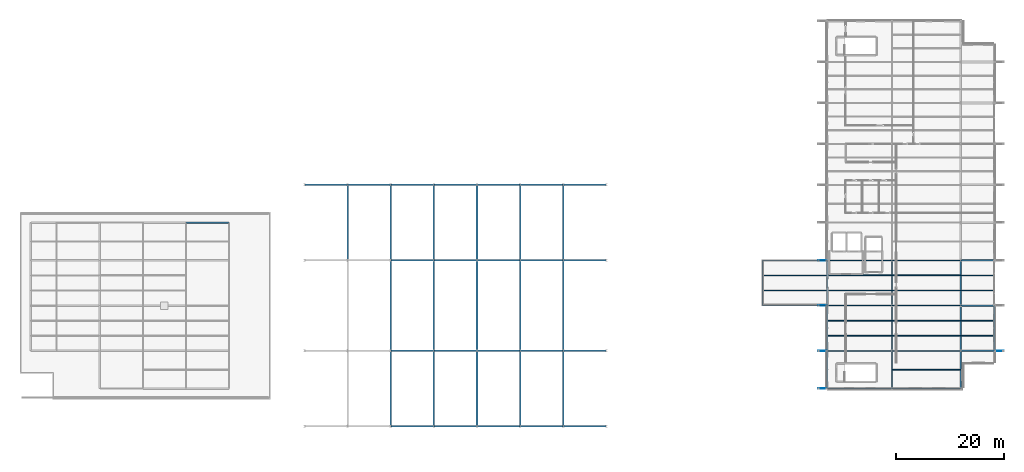
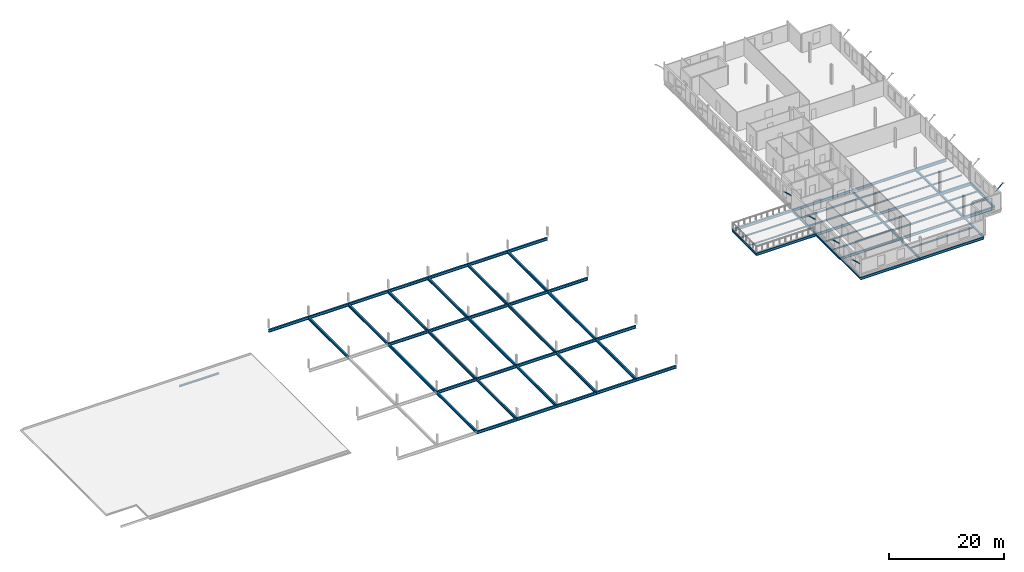
# One storey, part 12 of 25: 78 beams, 5 members.
"""IFC4 building model written with IfcOpenShell, lengths in metres."""

from ifc_helpers import new_model, si_unit, direction, frame, origin, origin_2d, place, context, subcontext, project, spatial, hollow_rectangle, i_section, extrude, material, material_profile, profile_set, type_object, element, save


model = new_model("IFC4")

# Units and contexts
model_context = context("Model", 3, precision=1e-05, world=origin(), true_north=direction((0.0, 1.0)))
body_context = subcontext(model_context, "Body", "Model", "MODEL_VIEW")
ifc_project = project(units=[si_unit("LENGTHUNIT", "METRE"), si_unit("AREAUNIT", "SQUARE_METRE"), si_unit("VOLUMEUNIT", "CUBIC_METRE"), si_unit("PLANEANGLEUNIT", "RADIAN"), si_unit("MASSUNIT", "GRAM", prefix="KILO")], contexts=[model_context])

# Site, building, storey
site_placement = place(None, origin())
site = spatial("IfcSite", under=ifc_project, at=site_placement, CompositionType="ELEMENT")
building_placement = place(site_placement, origin())
building = spatial("IfcBuilding", under=site, at=building_placement, Name="Vekula Escarpment Museum", CompositionType="ELEMENT")
storey_placement = place(building_placement, frame((0.0, 0.0, 26.39990234375)))
storey = spatial("IfcBuildingStorey", under=building, at=storey_placement, Name="L06", CompositionType="ELEMENT", Elevation=26.39990234375)

# Beams
ifc_material_1 = material(Name="Steel S355", Category="steel")
ifc_material_profile_1 = material_profile(ifc_material_1, i_section(OverallWidth=0.300048828125, OverallDepth=0.320068359375, WebThickness=0.011474609375, FlangeThickness=0.0205078125, FilletRadius=0.027099609375, at=origin_2d()), Name="HEB 320")
ifc_profile_set_1 = profile_set([ifc_material_profile_1], Name="Steel S355")
beam_type_1 = type_object("IfcBeamType", Name="BM-GIRD-HEB320", PredefinedType="BEAM", material=ifc_profile_set_1)
beam_1_placement = place(storey_placement, frame((48.0, 83.39990234375, -0.35986328125), z_axis=(1.0, 0.0, 0.0), x_axis=(0.0, 1.0, 0.0)))
element("IfcBeam", 1, at=beam_1_placement, inside=storey, type_object=beam_type_1, Name="Beam X L06 2226", PredefinedType="BEAM", context=body_context, shape_type="SweptSolid", body=[
    extrude(i_section(OverallWidth=0.300048828125, OverallDepth=0.320068359375, WebThickness=0.011474609375, FlangeThickness=0.0205078125, FilletRadius=0.027099609375, at=origin_2d()), origin(), (0.0, 0.0, 1.0), 8.0),
])
ifc_material_2 = material(Name="Steel S355", Category="steel")
ifc_material_profile_2 = material_profile(ifc_material_2, i_section(OverallWidth=0.300048828125, OverallDepth=0.60009765625, WebThickness=0.015380859375, FlangeThickness=0.030029296875, FilletRadius=0.027099609375, at=origin_2d()), Name="HEB 600")
ifc_profile_set_2 = profile_set([ifc_material_profile_2], Name="Steel S355")
beam_type_2 = type_object("IfcBeamType", Name="BM-GIRD-HEB600", PredefinedType="BEAM", material=ifc_profile_set_2)
for number, where, z_axis, x_axis, name in (
    (2, (86.0, 45.60009765625, -0.5498046875), (1.0, 0.0, 0.0), (0.0, 1.0, 0.0), "Roof Tie Girder L06 2386"),
    (3, (94.0, 45.60009765625, -0.5498046875), (1.0, 0.0, 0.0), (0.0, 1.0, 0.0), "Roof Tie Girder L06 2387"),
    (4, (102.0, 45.60009765625, -0.5498046875), (1.0, 0.0, 0.0), (0.0, 1.0, 0.0), "Roof Tie Girder L06 2388"),
    (5, (110.0, 45.60009765625, -0.5498046875), (1.0, 0.0, 0.0), (0.0, 1.0, 0.0), "Roof Tie Girder L06 2389"),
    (6, (118.0, 45.60009765625, -0.5498046875), (1.0, 0.0, 0.0), (0.0, 1.0, 0.0), "Roof Tie Girder L06 2390"),
    (7, (86.0, 59.60009765625, -0.5498046875), (1.0, 0.0, 0.0), (0.0, 1.0, 0.0), "Roof Tie Girder L06 2393"),
    (8, (94.0, 59.60009765625, -0.5498046875), (1.0, 0.0, 0.0), (0.0, 1.0, 0.0), "Roof Tie Girder L06 2394"),
    (9, (102.0, 59.60009765625, -0.5498046875), (1.0, 0.0, 0.0), (0.0, 1.0, 0.0), "Roof Tie Girder L06 2395"),
    (10, (110.0, 59.60009765625, -0.5498046875), (1.0, 0.0, 0.0), (0.0, 1.0, 0.0), "Roof Tie Girder L06 2396"),
    (11, (118.0, 59.60009765625, -0.5498046875), (1.0, 0.0, 0.0), (0.0, 1.0, 0.0), "Roof Tie Girder L06 2397"),
    (12, (86.0, 76.39990234375, -0.5498046875), (1.0, 0.0, 0.0), (0.0, 1.0, 0.0), "Roof Tie Girder L06 2400"),
    (13, (94.0, 76.39990234375, -0.5498046875), (1.0, 0.0, 0.0), (0.0, 1.0, 0.0), "Roof Tie Girder L06 2401"),
    (14, (102.0, 76.39990234375, -0.5498046875), (1.0, 0.0, 0.0), (0.0, 1.0, 0.0), "Roof Tie Girder L06 2402"),
    (15, (110.0, 76.39990234375, -0.5498046875), (1.0, 0.0, 0.0), (0.0, 1.0, 0.0), "Roof Tie Girder L06 2403"),
    (16, (118.0, 76.39990234375, -0.5498046875), (1.0, 0.0, 0.0), (0.0, 1.0, 0.0), "Roof Tie Girder L06 2404"),
    (17, (70.0, 90.39990234375, -0.5498046875), (1.0, 0.0, 0.0), (0.0, 1.0, 0.0), "Roof Tie Girder L06 2405"),
    (18, (78.0, 90.39990234375, -0.5498046875), (1.0, 0.0, 0.0), (0.0, 1.0, 0.0), "Roof Tie Girder L06 2406"),
    (19, (86.0, 90.39990234375, -0.5498046875), (1.0, 0.0, 0.0), (0.0, 1.0, 0.0), "Roof Tie Girder L06 2407"),
    (20, (94.0, 90.39990234375, -0.5498046875), (1.0, 0.0, 0.0), (0.0, 1.0, 0.0), "Roof Tie Girder L06 2408"),
    (21, (102.0, 90.39990234375, -0.5498046875), (1.0, 0.0, 0.0), (0.0, 1.0, 0.0), "Roof Tie Girder L06 2409"),
    (22, (110.0, 90.39990234375, -0.5498046875), (1.0, 0.0, 0.0), (0.0, 1.0, 0.0), "Roof Tie Girder L06 2410"),
    (23, (118.0, 90.39990234375, -0.5498046875), (1.0, 0.0, 0.0), (0.0, 1.0, 0.0), "Roof Tie Girder L06 2411"),
):
    element("IfcBeam", number, at=place(storey_placement, frame(where, z_axis=z_axis, x_axis=x_axis)), inside=storey, type_object=beam_type_2, Name=name, PredefinedType="BEAM", context=body_context, shape_type="SweptSolid", body=[
        extrude(i_section(OverallWidth=0.300048828125, OverallDepth=0.60009765625, WebThickness=0.015380859375, FlangeThickness=0.030029296875, FilletRadius=0.027099609375, at=origin_2d()), origin(), (0.0, 0.0, 1.0), 8.0),
    ])
for number, where, z_axis, x_axis, name in (
    (24, (78.0, 76.39990234375, -0.5498046875), (0.0, 1.0, 0.0), (-1.0, 0.0, 0.0), "Sawtooth Tie Girder L06 2414"),
    (25, (86.0, 45.60009765625, -0.5498046875), (0.0, 1.0, 0.0), (-1.0, 0.0, 0.0), "Sawtooth Tie Girder L06 2415"),
):
    element("IfcBeam", number, at=place(storey_placement, frame(where, z_axis=z_axis, x_axis=x_axis)), inside=storey, type_object=beam_type_2, Name=name, PredefinedType="BEAM", context=body_context, shape_type="SweptSolid", body=[
        extrude(i_section(OverallWidth=0.300048828125, OverallDepth=0.60009765625, WebThickness=0.015380859375, FlangeThickness=0.030029296875, FilletRadius=0.027099609375, at=origin_2d()), origin(), (0.0, 0.0, 1.0), 14.0),
    ])
beam_2_placement = place(storey_placement, frame((86.0, 59.60009765625, -0.5498046875), z_axis=(0.0, 1.0, 0.0), x_axis=(-1.0, 0.0, 0.0)))
element("IfcBeam", 26, at=beam_2_placement, inside=storey, type_object=beam_type_2, Name="Sawtooth Tie Girder L06 2416", PredefinedType="BEAM", context=body_context, shape_type="SweptSolid", body=[
    extrude(i_section(OverallWidth=0.300048828125, OverallDepth=0.60009765625, WebThickness=0.015380859375, FlangeThickness=0.030029296875, FilletRadius=0.027099609375, at=origin_2d()), origin(), (0.0, 0.0, 1.0), 16.7998046875),
])
for number, where, z_axis, x_axis, name in (
    (27, (86.0, 76.39990234375, -0.5498046875), (0.0, 1.0, 0.0), (-1.0, 0.0, 0.0), "Sawtooth Tie Girder L06 2417"),
    (28, (94.0, 45.60009765625, -0.5498046875), (0.0, 1.0, 0.0), (-1.0, 0.0, 0.0), "Sawtooth Tie Girder L06 2418"),
):
    element("IfcBeam", number, at=place(storey_placement, frame(where, z_axis=z_axis, x_axis=x_axis)), inside=storey, type_object=beam_type_2, Name=name, PredefinedType="BEAM", context=body_context, shape_type="SweptSolid", body=[
        extrude(i_section(OverallWidth=0.300048828125, OverallDepth=0.60009765625, WebThickness=0.015380859375, FlangeThickness=0.030029296875, FilletRadius=0.027099609375, at=origin_2d()), origin(), (0.0, 0.0, 1.0), 14.0),
    ])
beam_3_placement = place(storey_placement, frame((94.0, 59.60009765625, -0.5498046875), z_axis=(0.0, 1.0, 0.0), x_axis=(-1.0, 0.0, 0.0)))
element("IfcBeam", 29, at=beam_3_placement, inside=storey, type_object=beam_type_2, Name="Sawtooth Tie Girder L06 2419", PredefinedType="BEAM", context=body_context, shape_type="SweptSolid", body=[
    extrude(i_section(OverallWidth=0.300048828125, OverallDepth=0.60009765625, WebThickness=0.015380859375, FlangeThickness=0.030029296875, FilletRadius=0.027099609375, at=origin_2d()), origin(), (0.0, 0.0, 1.0), 16.7998046875),
])
for number, where, z_axis, x_axis, name in (
    (30, (94.0, 76.39990234375, -0.5498046875), (0.0, 1.0, 0.0), (-1.0, 0.0, 0.0), "Sawtooth Tie Girder L06 2420"),
    (31, (102.0, 45.60009765625, -0.5498046875), (0.0, 1.0, 0.0), (-1.0, 0.0, 0.0), "Sawtooth Tie Girder L06 2421"),
):
    element("IfcBeam", number, at=place(storey_placement, frame(where, z_axis=z_axis, x_axis=x_axis)), inside=storey, type_object=beam_type_2, Name=name, PredefinedType="BEAM", context=body_context, shape_type="SweptSolid", body=[
        extrude(i_section(OverallWidth=0.300048828125, OverallDepth=0.60009765625, WebThickness=0.015380859375, FlangeThickness=0.030029296875, FilletRadius=0.027099609375, at=origin_2d()), origin(), (0.0, 0.0, 1.0), 14.0),
    ])
beam_4_placement = place(storey_placement, frame((102.0, 59.60009765625, -0.5498046875), z_axis=(0.0, 1.0, 0.0), x_axis=(-1.0, 0.0, 0.0)))
element("IfcBeam", 32, at=beam_4_placement, inside=storey, type_object=beam_type_2, Name="Sawtooth Tie Girder L06 2422", PredefinedType="BEAM", context=body_context, shape_type="SweptSolid", body=[
    extrude(i_section(OverallWidth=0.300048828125, OverallDepth=0.60009765625, WebThickness=0.015380859375, FlangeThickness=0.030029296875, FilletRadius=0.027099609375, at=origin_2d()), origin(), (0.0, 0.0, 1.0), 16.7998046875),
])
for number, where, z_axis, x_axis, name in (
    (33, (102.0, 76.39990234375, -0.5498046875), (0.0, 1.0, 0.0), (-1.0, 0.0, 0.0), "Sawtooth Tie Girder L06 2423"),
    (34, (110.0, 45.60009765625, -0.5498046875), (0.0, 1.0, 0.0), (-1.0, 0.0, 0.0), "Sawtooth Tie Girder L06 2424"),
):
    element("IfcBeam", number, at=place(storey_placement, frame(where, z_axis=z_axis, x_axis=x_axis)), inside=storey, type_object=beam_type_2, Name=name, PredefinedType="BEAM", context=body_context, shape_type="SweptSolid", body=[
        extrude(i_section(OverallWidth=0.300048828125, OverallDepth=0.60009765625, WebThickness=0.015380859375, FlangeThickness=0.030029296875, FilletRadius=0.027099609375, at=origin_2d()), origin(), (0.0, 0.0, 1.0), 14.0),
    ])
beam_5_placement = place(storey_placement, frame((110.0, 59.60009765625, -0.5498046875), z_axis=(0.0, 1.0, 0.0), x_axis=(-1.0, 0.0, 0.0)))
element("IfcBeam", 35, at=beam_5_placement, inside=storey, type_object=beam_type_2, Name="Sawtooth Tie Girder L06 2425", PredefinedType="BEAM", context=body_context, shape_type="SweptSolid", body=[
    extrude(i_section(OverallWidth=0.300048828125, OverallDepth=0.60009765625, WebThickness=0.015380859375, FlangeThickness=0.030029296875, FilletRadius=0.027099609375, at=origin_2d()), origin(), (0.0, 0.0, 1.0), 16.7998046875),
])
for number, where, z_axis, x_axis, name in (
    (36, (110.0, 76.39990234375, -0.5498046875), (0.0, 1.0, 0.0), (-1.0, 0.0, 0.0), "Sawtooth Tie Girder L06 2426"),
    (37, (118.0, 45.60009765625, -0.5498046875), (0.0, 1.0, 0.0), (-1.0, 0.0, 0.0), "Sawtooth Tie Girder L06 2427"),
):
    element("IfcBeam", number, at=place(storey_placement, frame(where, z_axis=z_axis, x_axis=x_axis)), inside=storey, type_object=beam_type_2, Name=name, PredefinedType="BEAM", context=body_context, shape_type="SweptSolid", body=[
        extrude(i_section(OverallWidth=0.300048828125, OverallDepth=0.60009765625, WebThickness=0.015380859375, FlangeThickness=0.030029296875, FilletRadius=0.027099609375, at=origin_2d()), origin(), (0.0, 0.0, 1.0), 14.0),
    ])
beam_6_placement = place(storey_placement, frame((118.0, 59.60009765625, -0.5498046875), z_axis=(0.0, 1.0, 0.0), x_axis=(-1.0, 0.0, 0.0)))
element("IfcBeam", 38, at=beam_6_placement, inside=storey, type_object=beam_type_2, Name="Sawtooth Tie Girder L06 2428", PredefinedType="BEAM", context=body_context, shape_type="SweptSolid", body=[
    extrude(i_section(OverallWidth=0.300048828125, OverallDepth=0.60009765625, WebThickness=0.015380859375, FlangeThickness=0.030029296875, FilletRadius=0.027099609375, at=origin_2d()), origin(), (0.0, 0.0, 1.0), 16.7998046875),
])
beam_7_placement = place(storey_placement, frame((118.0, 76.39990234375, -0.5498046875), z_axis=(0.0, 1.0, 0.0), x_axis=(-1.0, 0.0, 0.0)))
element("IfcBeam", 39, at=beam_7_placement, inside=storey, type_object=beam_type_2, Name="Sawtooth Tie Girder L06 2429", PredefinedType="BEAM", context=body_context, shape_type="SweptSolid", body=[
    extrude(i_section(OverallWidth=0.300048828125, OverallDepth=0.60009765625, WebThickness=0.015380859375, FlangeThickness=0.030029296875, FilletRadius=0.027099609375, at=origin_2d()), origin(), (0.0, 0.0, 1.0), 14.0),
])
ifc_material_3 = material(Name="Steel S355", Category="steel")
ifc_material_profile_3 = material_profile(ifc_material_3, i_section(OverallWidth=0.300048828125, OverallDepth=0.64990234375, WebThickness=0.01611328125, FlangeThickness=0.031005859375, FilletRadius=0.027099609375, at=origin_2d()), Name="HEB 650")
ifc_profile_set_3 = profile_set([ifc_material_profile_3], Name="Steel S355")
beam_type_3 = type_object("IfcBeamType", Name="BM-GIRD-HEB650", PredefinedType="BEAM", material=ifc_profile_set_3)
for number, where, z_axis, x_axis, name in (
    (40, (191.800048828125, 59.60009765625, -0.544921875), (1.0, 0.0, 0.0), (0.0, 1.0, 0.0), "Beam X L06 2203"),
    (41, (191.800048828125, 68.0, -0.544921875), (1.0, 0.0, 0.0), (0.0, 1.0, 0.0), "Beam X L06 2212"),
    (42, (191.800048828125, 76.39990234375, -0.544921875), (1.0, 0.0, 0.0), (0.0, 1.0, 0.0), "Beam X L06 2221"),
):
    element("IfcBeam", number, at=place(storey_placement, frame(where, z_axis=z_axis, x_axis=x_axis)), inside=storey, type_object=beam_type_3, Name=name, PredefinedType="BEAM", context=body_context, shape_type="SweptSolid", body=[
        extrude(i_section(OverallWidth=0.300048828125, OverallDepth=0.64990234375, WebThickness=0.01611328125, FlangeThickness=0.031005859375, FilletRadius=0.027099609375, at=origin_2d()), origin(), (0.0, 0.0, 1.0), 6.199951171875),
    ])
ifc_material_4 = material(Name="Steel S355", Category="steel")
ifc_material_profile_4 = material_profile(ifc_material_4, i_section(OverallWidth=0.199951171875, OverallDepth=0.5, WebThickness=0.01025390625, FlangeThickness=0.01611328125, FilletRadius=0.02099609375, at=origin_2d()), Name="IPE 500")
ifc_profile_set_4 = profile_set([ifc_material_profile_4], Name="Steel S355")
beam_type_4 = type_object("IfcBeamType", Name="BM-GIRD-IPE500", PredefinedType="BEAM", material=ifc_profile_set_4)
beam_8_placement = place(storey_placement, frame((155.0, 68.0, -0.449951171875), z_axis=(0.0, 1.0, 0.0), x_axis=(-1.0, 0.0, 0.0)))
element("IfcBeam", 43, at=beam_8_placement, inside=storey, type_object=beam_type_4, Name="Beam Y L06 2266", PredefinedType="BEAM", context=body_context, shape_type="SweptSolid", body=[
    extrude(i_section(OverallWidth=0.199951171875, OverallDepth=0.5, WebThickness=0.01025390625, FlangeThickness=0.01611328125, FilletRadius=0.02099609375, at=origin_2d()), origin(), (0.0, 0.0, 1.0), 8.39990234375),
])
beam_9_placement = place(storey_placement, frame((179.0, 52.60009765625, -0.469970703125), z_axis=(0.0, 1.0, 0.0), x_axis=(-1.0, 0.0, 0.0)))
element("IfcBeam", 44, at=beam_9_placement, inside=storey, type_object=beam_type_4, Name="Beam Y L06 2276", PredefinedType="BEAM", context=body_context, shape_type="SweptSolid", body=[
    extrude(i_section(OverallWidth=0.199951171875, OverallDepth=0.5, WebThickness=0.01025390625, FlangeThickness=0.01611328125, FilletRadius=0.02099609375, at=origin_2d()), origin(), (0.0, 0.0, 1.0), 7.0),
])
for number, where, z_axis, x_axis, name in (
    (45, (179.0, 59.60009765625, -0.469970703125), (0.0, 1.0, 0.0), (-1.0, 0.0, 0.0), "Beam Y L06 2277"),
    (46, (179.0, 68.0, -0.469970703125), (0.0, 1.0, 0.0), (-1.0, 0.0, 0.0), "Beam Y L06 2278"),
):
    element("IfcBeam", number, at=place(storey_placement, frame(where, z_axis=z_axis, x_axis=x_axis)), inside=storey, type_object=beam_type_4, Name=name, PredefinedType="BEAM", context=body_context, shape_type="SweptSolid", body=[
        extrude(i_section(OverallWidth=0.199951171875, OverallDepth=0.5, WebThickness=0.01025390625, FlangeThickness=0.01611328125, FilletRadius=0.02099609375, at=origin_2d()), origin(), (0.0, 0.0, 1.0), 8.39990234375),
    ])
ifc_material_5 = material(Name="Steel S355", Category="steel")
ifc_material_profile_5 = material_profile(ifc_material_5, i_section(OverallWidth=0.2099609375, OverallDepth=0.550048828125, WebThickness=0.010986328125, FlangeThickness=0.01708984375, FilletRadius=0.02392578125, at=origin_2d()), Name="IPE 550")
ifc_profile_set_5 = profile_set([ifc_material_profile_5], Name="Steel S355")
beam_type_5 = type_object("IfcBeamType", Name="BM-GIRD-IPE550", PredefinedType="BEAM", material=ifc_profile_set_5)
beam_10_placement = place(storey_placement, frame((167.0, 52.60009765625, -0.494873046875), z_axis=(1.0, 0.0, 0.0), x_axis=(0.0, 1.0, 0.0)))
element("IfcBeam", 47, at=beam_10_placement, inside=storey, type_object=beam_type_5, Name="Beam X L06 2194", PredefinedType="BEAM", context=body_context, shape_type="SweptSolid", body=[
    extrude(i_section(OverallWidth=0.2099609375, OverallDepth=0.550048828125, WebThickness=0.010986328125, FlangeThickness=0.01708984375, FilletRadius=0.02392578125, at=origin_2d()), origin(), (0.0, 0.0, 1.0), 12.0),
])
beam_11_placement = place(storey_placement, frame((179.0, 52.60009765625, -0.494873046875), z_axis=(1.0, 0.0, 0.0), x_axis=(0.0, 1.0, 0.0)))
element("IfcBeam", 48, at=beam_11_placement, inside=storey, type_object=beam_type_5, Name="Beam X L06 2195", PredefinedType="BEAM", context=body_context, shape_type="SweptSolid", body=[
    extrude(i_section(OverallWidth=0.2099609375, OverallDepth=0.550048828125, WebThickness=0.010986328125, FlangeThickness=0.01708984375, FilletRadius=0.02392578125, at=origin_2d()), origin(), (0.0, 0.0, 1.0), 12.800048828125),
])
beam_12_placement = place(storey_placement, frame((167.0, 59.60009765625, -0.494873046875), z_axis=(1.0, 0.0, 0.0), x_axis=(0.0, 1.0, 0.0)))
element("IfcBeam", 49, at=beam_12_placement, inside=storey, type_object=beam_type_5, Name="Beam X L06 2201", PredefinedType="BEAM", context=body_context, shape_type="SweptSolid", body=[
    extrude(i_section(OverallWidth=0.2099609375, OverallDepth=0.550048828125, WebThickness=0.010986328125, FlangeThickness=0.01708984375, FilletRadius=0.02392578125, at=origin_2d()), origin(), (0.0, 0.0, 1.0), 12.0),
])
beam_13_placement = place(storey_placement, frame((179.0, 59.60009765625, -0.494873046875), z_axis=(1.0, 0.0, 0.0), x_axis=(0.0, 1.0, 0.0)))
element("IfcBeam", 50, at=beam_13_placement, inside=storey, type_object=beam_type_5, Name="Beam X L06 2202", PredefinedType="BEAM", context=body_context, shape_type="SweptSolid", body=[
    extrude(i_section(OverallWidth=0.2099609375, OverallDepth=0.550048828125, WebThickness=0.010986328125, FlangeThickness=0.01708984375, FilletRadius=0.02392578125, at=origin_2d()), origin(), (0.0, 0.0, 1.0), 12.800048828125),
])
for number, where, z_axis, x_axis, name in (
    (51, (155.0, 68.0, -0.494873046875), (1.0, 0.0, 0.0), (0.0, 1.0, 0.0), "Beam X L06 2209"),
    (52, (167.0, 68.0, -0.494873046875), (1.0, 0.0, 0.0), (0.0, 1.0, 0.0), "Beam X L06 2210"),
):
    element("IfcBeam", number, at=place(storey_placement, frame(where, z_axis=z_axis, x_axis=x_axis)), inside=storey, type_object=beam_type_5, Name=name, PredefinedType="BEAM", context=body_context, shape_type="SweptSolid", body=[
        extrude(i_section(OverallWidth=0.2099609375, OverallDepth=0.550048828125, WebThickness=0.010986328125, FlangeThickness=0.01708984375, FilletRadius=0.02392578125, at=origin_2d()), origin(), (0.0, 0.0, 1.0), 12.0),
    ])
beam_14_placement = place(storey_placement, frame((179.0, 68.0, -0.494873046875), z_axis=(1.0, 0.0, 0.0), x_axis=(0.0, 1.0, 0.0)))
element("IfcBeam", 53, at=beam_14_placement, inside=storey, type_object=beam_type_5, Name="Beam X L06 2211", PredefinedType="BEAM", context=body_context, shape_type="SweptSolid", body=[
    extrude(i_section(OverallWidth=0.2099609375, OverallDepth=0.550048828125, WebThickness=0.010986328125, FlangeThickness=0.01708984375, FilletRadius=0.02392578125, at=origin_2d()), origin(), (0.0, 0.0, 1.0), 12.800048828125),
])
for number, where, z_axis, x_axis, name in (
    (54, (155.0, 76.39990234375, -0.494873046875), (1.0, 0.0, 0.0), (0.0, 1.0, 0.0), "Beam X L06 2218"),
    (55, (167.0, 76.39990234375, -0.494873046875), (1.0, 0.0, 0.0), (0.0, 1.0, 0.0), "Beam X L06 2219"),
):
    element("IfcBeam", number, at=place(storey_placement, frame(where, z_axis=z_axis, x_axis=x_axis)), inside=storey, type_object=beam_type_5, Name=name, PredefinedType="BEAM", context=body_context, shape_type="SweptSolid", body=[
        extrude(i_section(OverallWidth=0.2099609375, OverallDepth=0.550048828125, WebThickness=0.010986328125, FlangeThickness=0.01708984375, FilletRadius=0.02392578125, at=origin_2d()), origin(), (0.0, 0.0, 1.0), 12.0),
    ])
beam_15_placement = place(storey_placement, frame((179.0, 76.39990234375, -0.494873046875), z_axis=(1.0, 0.0, 0.0), x_axis=(0.0, 1.0, 0.0)))
element("IfcBeam", 56, at=beam_15_placement, inside=storey, type_object=beam_type_5, Name="Beam X L06 2220", PredefinedType="BEAM", context=body_context, shape_type="SweptSolid", body=[
    extrude(i_section(OverallWidth=0.2099609375, OverallDepth=0.550048828125, WebThickness=0.010986328125, FlangeThickness=0.01708984375, FilletRadius=0.02392578125, at=origin_2d()), origin(), (0.0, 0.0, 1.0), 12.800048828125),
])
ifc_material_6 = material(Name="Steel S355", Category="steel")
ifc_material_profile_6 = material_profile(ifc_material_6, i_section(OverallWidth=0.1201171875, OverallDepth=0.239990234375, WebThickness=0.006103515625, FlangeThickness=0.009765625, FilletRadius=0.014892578125, at=origin_2d()), Name="IPE 240")
ifc_profile_set_6 = profile_set([ifc_material_profile_6], Name="Steel S355")
beam_type_6 = type_object("IfcBeamType", Name="BM-JST-IPE240", PredefinedType="JOIST", material=ifc_profile_set_6)
for number, where, z_axis, x_axis, name in (
    (57, (155.090087890625, 70.800048828125, -0.33984375), (1.0, 0.0, 0.0), (0.0, 1.0, 0.0), "Secondary Joist L06 1450"),
    (58, (155.090087890625, 73.60009765625, -0.33984375), (1.0, 0.0, 0.0), (0.0, 1.0, 0.0), "Secondary Joist L06 1451"),
    (59, (167.090087890625, 62.39990234375, -0.33984375), (1.0, 0.0, 0.0), (0.0, 1.0, 0.0), "Secondary Joist L06 1452"),
    (60, (167.090087890625, 65.199951171875, -0.33984375), (1.0, 0.0, 0.0), (0.0, 1.0, 0.0), "Secondary Joist L06 1453"),
):
    element("IfcBeam", number, at=place(storey_placement, frame(where, z_axis=z_axis, x_axis=x_axis)), inside=storey, type_object=beam_type_6, Name=name, PredefinedType="JOIST", context=body_context, shape_type="SweptSolid", body=[
        extrude(i_section(OverallWidth=0.1201171875, OverallDepth=0.239990234375, WebThickness=0.006103515625, FlangeThickness=0.009765625, FilletRadius=0.014892578125, at=origin_2d()), origin(), (0.0, 0.0, 1.0), 11.81982421875),
    ])
beam_16_placement = place(storey_placement, frame((179.090087890625, 56.10009765625, -0.33984375), z_axis=(1.0, 0.0, 0.0), x_axis=(0.0, 1.0, 0.0)))
element("IfcBeam", 61, at=beam_16_placement, inside=storey, type_object=beam_type_6, Name="Secondary Joist L06 1463", PredefinedType="JOIST", context=body_context, shape_type="SweptSolid", body=[
    extrude(i_section(OverallWidth=0.1201171875, OverallDepth=0.239990234375, WebThickness=0.006103515625, FlangeThickness=0.009765625, FilletRadius=0.014892578125, at=origin_2d()), origin(), (0.0, 0.0, 1.0), 12.619873046875),
])
ifc_material_7 = material(Name="Steel S355", Category="steel")
ifc_material_profile_7 = material_profile(ifc_material_7, i_section(OverallWidth=0.14990234375, OverallDepth=0.300048828125, WebThickness=0.007080078125, FlangeThickness=0.0107421875, FilletRadius=0.014892578125, at=origin_2d()), Name="IPE 300")
ifc_profile_set_7 = profile_set([ifc_material_profile_7], Name="Steel S355")
beam_type_7 = type_object("IfcBeamType", Name="BM-JST-IPE300", PredefinedType="JOIST", material=ifc_profile_set_7)
for number, where, z_axis, x_axis, name in (
    (62, (191.889892578125, 70.800048828125, -0.369873046875), (1.0, 0.0, 0.0), (0.0, 1.0, 0.0), "Secondary Joist L06 1480"),
    (63, (191.889892578125, 73.60009765625, -0.369873046875), (1.0, 0.0, 0.0), (0.0, 1.0, 0.0), "Secondary Joist L06 1481"),
):
    element("IfcBeam", number, at=place(storey_placement, frame(where, z_axis=z_axis, x_axis=x_axis)), inside=storey, type_object=beam_type_7, Name=name, PredefinedType="JOIST", context=body_context, shape_type="SweptSolid", body=[
        extrude(i_section(OverallWidth=0.14990234375, OverallDepth=0.300048828125, WebThickness=0.007080078125, FlangeThickness=0.0107421875, FilletRadius=0.014892578125, at=origin_2d()), origin(), (0.0, 0.0, 1.0), 6.02001953125),
    ])
ifc_material_8 = material(Name="Steel S355", Category="steel")
ifc_material_profile_8 = material_profile(ifc_material_8, i_section(OverallWidth=0.159912109375, OverallDepth=0.330078125, WebThickness=0.007568359375, FlangeThickness=0.011474609375, FilletRadius=0.01806640625, at=origin_2d()), Name="IPE 330")
ifc_profile_set_8 = profile_set([ifc_material_profile_8], Name="Steel S355")
beam_type_8 = type_object("IfcBeamType", Name="BM-JST-IPE330", PredefinedType="JOIST", material=ifc_profile_set_8)
for number, where, z_axis, x_axis, name in (
    (64, (179.090087890625, 70.800048828125, -0.385009765625), (1.0, 0.0, 0.0), (0.0, 1.0, 0.0), "Secondary Joist L06 1466"),
    (65, (179.090087890625, 73.60009765625, -0.385009765625), (1.0, 0.0, 0.0), (0.0, 1.0, 0.0), "Secondary Joist L06 1467"),
):
    element("IfcBeam", number, at=place(storey_placement, frame(where, z_axis=z_axis, x_axis=x_axis)), inside=storey, type_object=beam_type_8, Name=name, PredefinedType="JOIST", context=body_context, shape_type="SweptSolid", body=[
        extrude(i_section(OverallWidth=0.159912109375, OverallDepth=0.330078125, WebThickness=0.007568359375, FlangeThickness=0.011474609375, FilletRadius=0.01806640625, at=origin_2d()), origin(), (0.0, 0.0, 1.0), 12.619873046875),
    ])
for number, where, z_axis, x_axis, name in (
    (66, (191.889892578125, 62.39990234375, -0.385009765625), (1.0, 0.0, 0.0), (0.0, 1.0, 0.0), "Secondary Joist L06 1478"),
    (67, (191.889892578125, 65.199951171875, -0.385009765625), (1.0, 0.0, 0.0), (0.0, 1.0, 0.0), "Secondary Joist L06 1479"),
):
    element("IfcBeam", number, at=place(storey_placement, frame(where, z_axis=z_axis, x_axis=x_axis)), inside=storey, type_object=beam_type_8, Name=name, PredefinedType="JOIST", context=body_context, shape_type="SweptSolid", body=[
        extrude(i_section(OverallWidth=0.159912109375, OverallDepth=0.330078125, WebThickness=0.007568359375, FlangeThickness=0.011474609375, FilletRadius=0.01806640625, at=origin_2d()), origin(), (0.0, 0.0, 1.0), 6.02001953125),
    ])
ifc_material_9 = material(Name="Steel S355", Category="steel")
ifc_material_profile_9 = material_profile(ifc_material_9, i_section(OverallWidth=0.169921875, OverallDepth=0.360107421875, WebThickness=0.008056640625, FlangeThickness=0.0126953125, FilletRadius=0.01806640625, at=origin_2d()), Name="IPE 360")
ifc_profile_set_9 = profile_set([ifc_material_profile_9], Name="Steel S355")
beam_type_9 = type_object("IfcBeamType", Name="BM-JST-IPE360", PredefinedType="JOIST", material=ifc_profile_set_9)
for number, where, z_axis, x_axis, name in (
    (68, (167.090087890625, 70.800048828125, -0.39990234375), (1.0, 0.0, 0.0), (0.0, 1.0, 0.0), "Secondary Joist L06 1454"),
    (69, (167.090087890625, 73.60009765625, -0.39990234375), (1.0, 0.0, 0.0), (0.0, 1.0, 0.0), "Secondary Joist L06 1455"),
):
    element("IfcBeam", number, at=place(storey_placement, frame(where, z_axis=z_axis, x_axis=x_axis)), inside=storey, type_object=beam_type_9, Name=name, PredefinedType="JOIST", context=body_context, shape_type="SweptSolid", body=[
        extrude(i_section(OverallWidth=0.169921875, OverallDepth=0.360107421875, WebThickness=0.008056640625, FlangeThickness=0.0126953125, FilletRadius=0.01806640625, at=origin_2d()), origin(), (0.0, 0.0, 1.0), 11.81982421875),
    ])
for number, where, z_axis, x_axis, name in (
    (70, (179.090087890625, 62.39990234375, -0.39990234375), (1.0, 0.0, 0.0), (0.0, 1.0, 0.0), "Secondary Joist L06 1464"),
    (71, (179.090087890625, 65.199951171875, -0.39990234375), (1.0, 0.0, 0.0), (0.0, 1.0, 0.0), "Secondary Joist L06 1465"),
):
    element("IfcBeam", number, at=place(storey_placement, frame(where, z_axis=z_axis, x_axis=x_axis)), inside=storey, type_object=beam_type_9, Name=name, PredefinedType="JOIST", context=body_context, shape_type="SweptSolid", body=[
        extrude(i_section(OverallWidth=0.169921875, OverallDepth=0.360107421875, WebThickness=0.008056640625, FlangeThickness=0.0126953125, FilletRadius=0.01806640625, at=origin_2d()), origin(), (0.0, 0.0, 1.0), 12.619873046875),
    ])
ifc_material_10 = material(Name="Steel S355", Category="steel")
ifc_material_profile_10 = material_profile(ifc_material_10, i_section(OverallWidth=0.300048828125, OverallDepth=0.2900390625, WebThickness=0.008544921875, FlangeThickness=0.013916015625, FilletRadius=0.027099609375, at=origin_2d()), Name="HEA 300")
ifc_profile_set_10 = profile_set([ifc_material_profile_10], Name="Steel S355")
beam_type_10 = type_object("IfcBeamType", Name="BM-SPAN-HEA300", PredefinedType="SPANDREL", material=ifc_profile_set_10)
for number, where, z_axis, x_axis, name in (
    (72, (167.0, 52.60009765625, -0.364990234375), (0.0, 1.0, 0.0), (-1.0, 0.0, 0.0), "Beam Y L06 2267"),
    (73, (191.800048828125, 52.60009765625, -0.364990234375), (0.0, 1.0, 0.0), (-1.0, 0.0, 0.0), "Beam Y L06 2285"),
):
    element("IfcBeam", number, at=place(storey_placement, frame(where, z_axis=z_axis, x_axis=x_axis)), inside=storey, type_object=beam_type_10, Name=name, PredefinedType="SPANDREL", context=body_context, shape_type="SweptSolid", body=[
        extrude(i_section(OverallWidth=0.300048828125, OverallDepth=0.2900390625, WebThickness=0.008544921875, FlangeThickness=0.013916015625, FilletRadius=0.027099609375, at=origin_2d()), origin(), (0.0, 0.0, 1.0), 7.0),
    ])
ifc_material_11 = material(Name="Steel S355", Category="steel")
ifc_material_profile_11 = material_profile(ifc_material_11, i_section(OverallWidth=0.300048828125, OverallDepth=0.43994140625, WebThickness=0.011474609375, FlangeThickness=0.02099609375, FilletRadius=0.027099609375, at=origin_2d()), Name="HEA 450")
ifc_profile_set_11 = profile_set([ifc_material_profile_11], Name="Steel S355")
beam_type_11 = type_object("IfcBeamType", Name="BM-SPAN-HEA450", PredefinedType="SPANDREL", material=ifc_profile_set_11)
for number, where, z_axis, x_axis, name in (
    (74, (167.0, 59.60009765625, -0.43994140625), (0.0, 1.0, 0.0), (-1.0, 0.0, 0.0), "Beam Y L06 2268"),
    (75, (167.0, 68.0, -0.43994140625), (0.0, 1.0, 0.0), (-1.0, 0.0, 0.0), "Beam Y L06 2269"),
    (76, (191.800048828125, 59.60009765625, -0.43994140625), (0.0, 1.0, 0.0), (-1.0, 0.0, 0.0), "Beam Y L06 2286"),
    (77, (191.800048828125, 68.0, -0.43994140625), (0.0, 1.0, 0.0), (-1.0, 0.0, 0.0), "Beam Y L06 2287"),
    (78, (198.0, 59.60009765625, -0.43994140625), (0.0, 1.0, 0.0), (-1.0, 0.0, 0.0), "Beam Y L06 2294"),
):
    element("IfcBeam", number, at=place(storey_placement, frame(where, z_axis=z_axis, x_axis=x_axis)), inside=storey, type_object=beam_type_11, Name=name, PredefinedType="SPANDREL", context=body_context, shape_type="SweptSolid", body=[
        extrude(i_section(OverallWidth=0.300048828125, OverallDepth=0.43994140625, WebThickness=0.011474609375, FlangeThickness=0.02099609375, FilletRadius=0.027099609375, at=origin_2d()), origin(), (0.0, 0.0, 1.0), 8.39990234375),
    ])

# Members
ifc_material_12 = material(Name="Steel S355", Category="steel")
ifc_material_profile_12 = material_profile(ifc_material_12, hollow_rectangle(XDim=0.10009765625, YDim=0.199951171875, WallThickness=0.008056640625, InnerFilletRadius=0.008056640625, OuterFilletRadius=0.01611328125, at=origin_2d()), Name="RHS 200x100x8")
ifc_profile_set_12 = profile_set([ifc_material_profile_12], Name="Steel S355")
member_type = type_object("IfcMemberType", Name="MB-SACAK-BRK", PredefinedType="STRUT", material=ifc_profile_set_12)
for number, where, z_axis, x_axis, name in (
    (79, (166.8798828125, 52.60009765625, 2.75), (-0.737671918574, 0.0, 0.675159344561), (0.0, -1.0, 0.0), "Cumba Sacak Eave Bracket 0149"),
    (80, (166.8798828125, 59.60009765625, 2.75), (-0.737671918574, 0.0, 0.675159344561), (0.0, -1.0, 0.0), "Cumba Sacak Eave Bracket 0150"),
    (81, (198.1201171875, 59.60009765625, 2.75), (0.737671918574, 0.0, 0.675159344561), (0.0, 1.0, 0.0), "Cumba Sacak Eave Bracket 0151"),
    (82, (166.8798828125, 68.0, 2.75), (-0.737671918574, 0.0, 0.675159344561), (0.0, -1.0, 0.0), "Cumba Sacak Eave Bracket 0152"),
    (83, (166.8798828125, 76.39990234375, 2.75), (-0.737671918574, 0.0, 0.675159344561), (0.0, -1.0, 0.0), "Cumba Sacak Eave Bracket 0154"),
):
    element("IfcMember", number, at=place(storey_placement, frame(where, z_axis=z_axis, x_axis=x_axis)), inside=storey, type_object=member_type, Name=name, PredefinedType="STRUT", context=body_context, shape_type="SweptSolid", body=[
        extrude(hollow_rectangle(XDim=0.10009765625, YDim=0.199951171875, WallThickness=0.008056640625, InnerFilletRadius=0.008056640625, OuterFilletRadius=0.01611328125, at=origin_2d()), origin(), (0.0, 0.0, 1.0), 2.07373046875),
    ])

save(model, "model.ifc")
